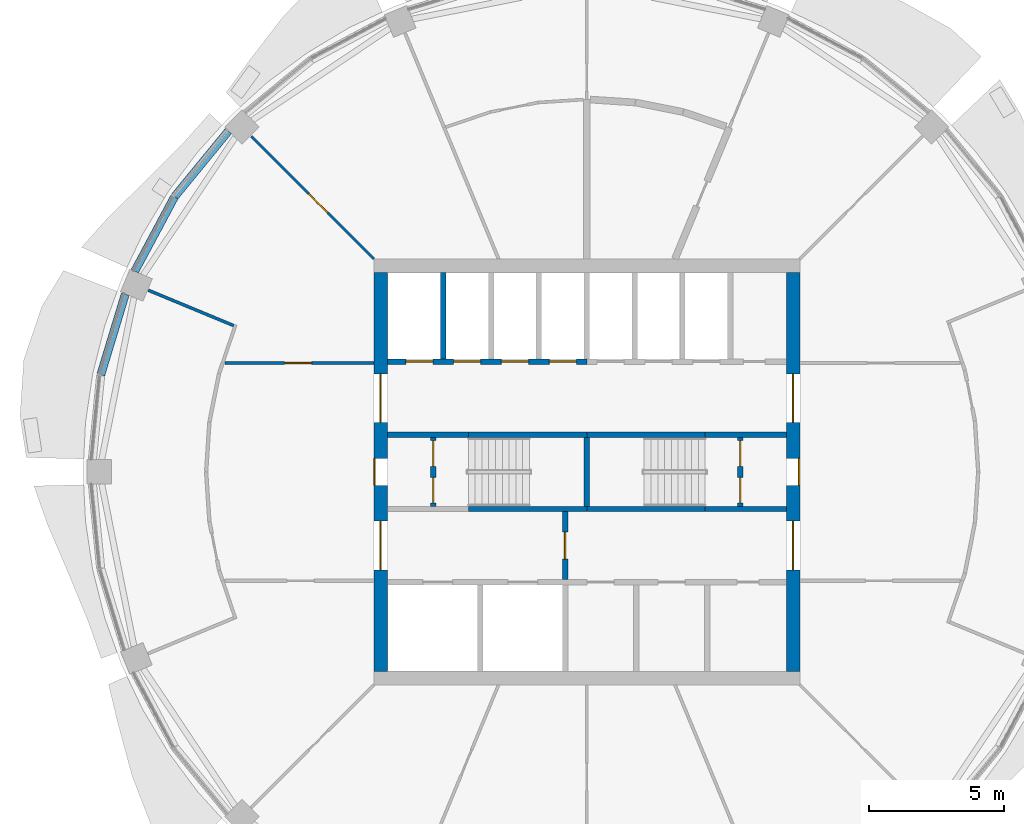
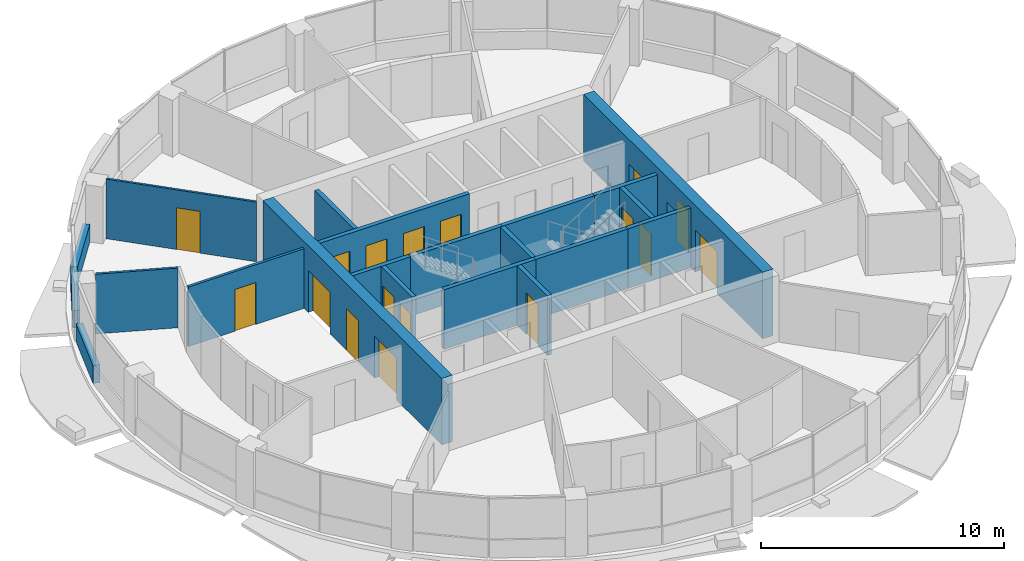
# One storey, part 9 of 15: 21 walls, 17 doors, 17 openings.
"""IFC4 building model written with IfcOpenShell, lengths in metres."""

from ifc_helpers import new_model, si_unit, direction, frame, frame_2d, origin, place, context, subcontext, project, spatial, rectangle, extrude, material, layer, layer_set, type_object, element, fill, save


model = new_model("IFC4")

# Units and contexts
model_context = context("Model", 3, precision=1e-05, world=origin(), true_north=direction((0.0, 1.0)))
body_context = subcontext(model_context, "Body", "Model", "MODEL_VIEW")
ifc_project = project(units=[si_unit("LENGTHUNIT", "METRE"), si_unit("AREAUNIT", "SQUARE_METRE"), si_unit("VOLUMEUNIT", "CUBIC_METRE"), si_unit("PLANEANGLEUNIT", "RADIAN"), si_unit("MASSUNIT", "GRAM", prefix="KILO")], contexts=[model_context])

# Site, building, storey
site_placement = place(None, origin())
site = spatial("IfcSite", under=ifc_project, at=site_placement, CompositionType="ELEMENT")
building_placement = place(site_placement, origin())
building = spatial("IfcBuilding", under=site, at=building_placement, Name="Polderwave Tower", CompositionType="ELEMENT")
storey_placement = place(building_placement, frame((0.0, 0.0, 180.949951171875)))
storey = spatial("IfcBuildingStorey", under=building, at=storey_placement, Name="L48", CompositionType="ELEMENT", Elevation=180.949951171875)

# Wall, openings, doors
ifc_material_1 = material(Name="Concrete C60/75", Category="concrete")
ifc_layer_1 = layer(ifc_material_1, 0.5)
ifc_layer_set_1 = layer_set([ifc_layer_1], Name="CORE WALL 500 C60/75")
wall_type_1 = type_object("IfcWallType", Name="CORE WALL 500 C60/75", PredefinedType="SHEAR", material=ifc_layer_set_1)
wall_1_placement = place(storey_placement, frame((-7.6240234375, -7.3740234375, 0.0), z_axis=(0.0, 0.0, 1.0), x_axis=(0.0, 1.0, 0.0)))
wall_1 = element("IfcWall", 1, at=wall_1_placement, inside=storey, type_object=wall_type_1, Name="ST-CORE-L48-W", PredefinedType="SHEAR", context=body_context, shape_type="SweptSolid", body=[
    extrude(rectangle(XDim=14.748046875, YDim=0.5, at=frame_2d((7.3740234375, 0.0))), origin(), (0.0, 0.0, 1.0), 3.35009765625),
])
opening_1_placement = place(wall_1_placement, frame((6.8740234375, 0.0, 0.0)))
opening_1 = element("IfcOpeningElement", 2, at=opening_1_placement, cuts=wall_1, Name="Opening L48-D19", PredefinedType="OPENING", context=body_context, shape_type="SweptSolid", body=[
    extrude(rectangle(XDim=1.0, YDim=2.10009765625, at=frame_2d((0.5, 1.050048828125))), frame((0.0, 0.260009765625, 0.0), z_axis=(0.0, -1.0, 0.0), x_axis=(1.0, 0.0, 0.0)), (0.0, 0.0, 1.0), 0.52001953125),
])
opening_2_placement = place(wall_1_placement, frame((3.74951171875, 0.0, 0.0)))
opening_2 = element("IfcOpeningElement", 3, at=opening_2_placement, cuts=wall_1, Name="Opening L48-D20", PredefinedType="OPENING", context=body_context, shape_type="SweptSolid", body=[
    extrude(rectangle(XDim=1.800048828125, YDim=2.10009765625, at=frame_2d((0.89990234375, 1.050048828125))), frame((0.0, 0.260009765625, 0.0), z_axis=(0.0, -1.0, 0.0), x_axis=(1.0, 0.0, 0.0)), (0.0, 0.0, 1.0), 0.52001953125),
])
opening_3_placement = place(wall_1_placement, frame((9.198486328125, 0.0, 0.0)))
opening_3 = element("IfcOpeningElement", 4, at=opening_3_placement, cuts=wall_1, Name="Opening L48-D21", PredefinedType="OPENING", context=body_context, shape_type="SweptSolid", body=[
    extrude(rectangle(XDim=1.800048828125, YDim=2.10009765625, at=frame_2d((0.89990234375, 1.050048828125))), frame((0.0, 0.260009765625, 0.0), z_axis=(0.0, -1.0, 0.0), x_axis=(1.0, 0.0, 0.0)), (0.0, 0.0, 1.0), 0.52001953125),
])
ifc_material_2 = material(Name="Steel fire door", Category="steel")
door_type_1 = type_object("IfcDoorType", Name="Lobby entry door pair 1800", OperationType="DOUBLE_DOOR_SINGLE_SWING", PredefinedType="DOOR", material=ifc_material_2)
door_1_placement = place(opening_2_placement, origin())
door_1 = element("IfcDoor", 5, at=door_1_placement, inside=storey, type_object=door_type_1, Name="Fire-fighting lobby entry door", OperationType="DOUBLE_DOOR_SINGLE_SWING", OverallHeight=2.10009765625, OverallWidth=1.800048828125, PredefinedType="DOOR", context=body_context, shape_type="SweptSolid", body=[
    extrude(rectangle(XDim=1.800048828125, YDim=2.10009765625, at=frame_2d((0.89990234375, 1.050048828125))), frame((0.0, 0.02490234375, 0.0), z_axis=(0.0, -1.0, 0.0), x_axis=(1.0, 0.0, 0.0)), (0.0, 0.0, 1.0), 0.050048828125),
])
fill(opening_2, door_1)
door_2_placement = place(opening_3_placement, origin())
door_2 = element("IfcDoor", 6, at=door_2_placement, inside=storey, type_object=door_type_1, Name="North lobby entry door", OperationType="DOUBLE_DOOR_SINGLE_SWING", OverallHeight=2.10009765625, OverallWidth=1.800048828125, PredefinedType="DOOR", context=body_context, shape_type="SweptSolid", body=[
    extrude(rectangle(XDim=1.800048828125, YDim=2.10009765625, at=frame_2d((0.89990234375, 1.050048828125))), frame((0.0, 0.02490234375, 0.0), z_axis=(0.0, -1.0, 0.0), x_axis=(1.0, 0.0, 0.0)), (0.0, 0.0, 1.0), 0.050048828125),
])
fill(opening_3, door_2)
door_type_2 = type_object("IfcDoorType", Name="Stair door 1000", OperationType="NOTDEFINED", PredefinedType="DOOR", material=ifc_material_2)
door_3_placement = place(opening_1_placement, origin())
door_3 = element("IfcDoor", 7, at=door_3_placement, inside=storey, type_object=door_type_2, Name="Stair A entry door", OperationType="SINGLE_SWING_RIGHT", OverallHeight=2.10009765625, OverallWidth=1.0, PredefinedType="DOOR", context=body_context, shape_type="SweptSolid", body=[
    extrude(rectangle(XDim=1.0, YDim=2.10009765625, at=frame_2d((0.5, 1.050048828125))), frame((0.0, 0.25, 0.0), z_axis=(0.0, -1.0, 0.0), x_axis=(1.0, 0.0, 0.0)), (0.0, 0.0, 1.0), 0.050048828125),
])
fill(opening_1, door_3)

wall_2_placement = place(storey_placement, frame((7.6240234375, -7.3740234375, 0.0), z_axis=(0.0, 0.0, 1.0), x_axis=(0.0, 1.0, 0.0)))
wall_2 = element("IfcWall", 8, at=wall_2_placement, inside=storey, type_object=wall_type_1, Name="ST-CORE-L48-E", PredefinedType="SHEAR", context=body_context, shape_type="SweptSolid", body=[
    extrude(rectangle(XDim=14.748046875, YDim=0.5, at=frame_2d((7.3740234375, 0.0))), origin(), (0.0, 0.0, 1.0), 3.35009765625),
])
opening_4_placement = place(wall_2_placement, frame((6.8740234375, 0.0, 0.0)))
opening_4 = element("IfcOpeningElement", 9, at=opening_4_placement, cuts=wall_2, Name="Opening L48-D22", PredefinedType="OPENING", context=body_context, shape_type="SweptSolid", body=[
    extrude(rectangle(XDim=1.0, YDim=2.10009765625, at=frame_2d((0.5, 1.050048828125))), frame((0.0, 0.260009765625, 0.0), z_axis=(0.0, -1.0, 0.0), x_axis=(1.0, 0.0, 0.0)), (0.0, 0.0, 1.0), 0.52001953125),
])
opening_5_placement = place(wall_2_placement, frame((3.74951171875, 0.0, 0.0)))
opening_5 = element("IfcOpeningElement", 10, at=opening_5_placement, cuts=wall_2, Name="Opening L48-D23", PredefinedType="OPENING", context=body_context, shape_type="SweptSolid", body=[
    extrude(rectangle(XDim=1.800048828125, YDim=2.10009765625, at=frame_2d((0.89990234375, 1.050048828125))), frame((0.0, 0.260009765625, 0.0), z_axis=(0.0, -1.0, 0.0), x_axis=(1.0, 0.0, 0.0)), (0.0, 0.0, 1.0), 0.52001953125),
])
opening_6_placement = place(wall_2_placement, frame((9.198486328125, 0.0, 0.0)))
opening_6 = element("IfcOpeningElement", 11, at=opening_6_placement, cuts=wall_2, Name="Opening L48-D24", PredefinedType="OPENING", context=body_context, shape_type="SweptSolid", body=[
    extrude(rectangle(XDim=1.800048828125, YDim=2.10009765625, at=frame_2d((0.89990234375, 1.050048828125))), frame((0.0, 0.260009765625, 0.0), z_axis=(0.0, -1.0, 0.0), x_axis=(1.0, 0.0, 0.0)), (0.0, 0.0, 1.0), 0.52001953125),
])
door_4_placement = place(opening_5_placement, frame((1.800048828125, 0.0, 0.0), z_axis=(0.0, 0.0, 1.0), x_axis=(-1.0, 0.0, 0.0)))
door_4 = element("IfcDoor", 12, at=door_4_placement, inside=storey, type_object=door_type_1, Name="South lobby entry door", OperationType="DOUBLE_DOOR_SINGLE_SWING", OverallHeight=2.10009765625, OverallWidth=1.800048828125, PredefinedType="DOOR", context=body_context, shape_type="SweptSolid", body=[
    extrude(rectangle(XDim=1.800048828125, YDim=2.10009765625, at=frame_2d((0.89990234375, 1.050048828125))), frame((0.0, 0.02490234375, 0.0), z_axis=(0.0, -1.0, 0.0), x_axis=(1.0, 0.0, 0.0)), (0.0, 0.0, 1.0), 0.050048828125),
])
fill(opening_5, door_4)
door_5_placement = place(opening_6_placement, frame((1.800048828125, 0.0, 0.0), z_axis=(0.0, 0.0, 1.0), x_axis=(-1.0, 0.0, 0.0)))
door_5 = element("IfcDoor", 13, at=door_5_placement, inside=storey, type_object=door_type_1, Name="North lobby entry door", OperationType="DOUBLE_DOOR_SINGLE_SWING", OverallHeight=2.10009765625, OverallWidth=1.800048828125, PredefinedType="DOOR", context=body_context, shape_type="SweptSolid", body=[
    extrude(rectangle(XDim=1.800048828125, YDim=2.10009765625, at=frame_2d((0.89990234375, 1.050048828125))), frame((0.0, 0.02490234375, 0.0), z_axis=(0.0, -1.0, 0.0), x_axis=(1.0, 0.0, 0.0)), (0.0, 0.0, 1.0), 0.050048828125),
])
fill(opening_6, door_5)
door_6_placement = place(opening_4_placement, frame((1.0, 0.0, 0.0), z_axis=(0.0, 0.0, 1.0), x_axis=(-1.0, 0.0, 0.0)))
door_6 = element("IfcDoor", 14, at=door_6_placement, inside=storey, type_object=door_type_2, Name="Stair B entry door", OperationType="SINGLE_SWING_LEFT", OverallHeight=2.10009765625, OverallWidth=1.0, PredefinedType="DOOR", context=body_context, shape_type="SweptSolid", body=[
    extrude(rectangle(XDim=1.0, YDim=2.10009765625, at=frame_2d((0.5, 1.050048828125))), frame((0.0, 0.25, 0.0), z_axis=(0.0, -1.0, 0.0), x_axis=(1.0, 0.0, 0.0)), (0.0, 0.0, 1.0), 0.050048828125),
])
fill(opening_4, door_6)

# Walls
ifc_material_3 = material(Name="Concrete C50/60 (board-marked)", Category="concrete")
ifc_layer_2 = layer(ifc_material_3, 0.300048828125)
ifc_layer_set_2 = layer_set([ifc_layer_2], Name="Concrete spandrel upstand C50/60")
wall_type_2 = type_object("IfcWallType", Name="Concrete spandrel upstand C50/60", PredefinedType="SOLIDWALL", material=ifc_layer_set_2)
wall_3_placement = place(storey_placement, frame((-13.24951171875, 12.594482421875, 0.0), z_axis=(0.0, 0.0, 1.0), x_axis=(-0.634267296653, -0.773113831461, 0.0)))
element("IfcWall", 15, at=wall_3_placement, inside=storey, type_object=wall_type_2, Name="Spandrel L48 7a", PredefinedType="SOLIDWALL", context=body_context, shape_type="SweptSolid", body=[
    extrude(rectangle(XDim=3.110595703125, YDim=0.300048828125, at=frame_2d((1.55517578125, 0.0))), origin(), (0.0, 0.0, 1.0), 0.900146484375),
])
for number, where, z_axis, x_axis, name in (
    (16, (-15.239013671875, 10.164794921875, 0.0), (0.0, 0.0, 1.0), (-0.471598312985, -0.881813490025, 0.0), "Spandrel L48 7b"),
    (17, (-17.060302734375, 6.564697265625, 0.0), (0.0, 0.0, 1.0), (-0.290421284339, -0.956898885778, 0.0), "Spandrel L48 8a"),
):
    element("IfcWall", number, at=place(storey_placement, frame(where, z_axis=z_axis, x_axis=x_axis)), inside=storey, type_object=wall_type_2, Name=name, PredefinedType="SOLIDWALL", context=body_context, shape_type="SweptSolid", body=[
        extrude(rectangle(XDim=3.1103515625, YDim=0.300048828125, at=frame_2d((1.55517578125, 0.0))), origin(), (0.0, 0.0, 1.0), 0.900146484375),
    ])

# Wall, opening, door
ifc_material_4 = material(Name="Gypsum board partition")
ifc_layer_3 = layer(ifc_material_4, 0.199951171875)
ifc_layer_set_3 = layer_set([ifc_layer_3], Name="Core room partition 200")
wall_type_3 = type_object("IfcWallType", Name="Core room partition 200", PredefinedType="PARTITIONING", material=ifc_layer_set_3)
wall_4_placement = place(storey_placement, frame((-0.800048828125, -3.97412109375, 0.0), z_axis=(0.0, 0.0, 1.0), x_axis=(0.0, 1.0, 0.0)))
wall_4 = element("IfcWall", 18, at=wall_4_placement, inside=storey, type_object=wall_type_3, Name="L48 fire-fighting lobby wall", PredefinedType="PARTITIONING", context=body_context, shape_type="SweptSolid", body=[
    extrude(rectangle(XDim=2.4990234375, YDim=0.199951171875, at=frame_2d((1.24951171875, 0.0))), origin(), (0.0, 0.0, 1.0), 3.0),
])
opening_7_placement = place(wall_4_placement, frame((0.74951171875, 0.0, 0.0)))
opening_7 = element("IfcOpeningElement", 19, at=opening_7_placement, cuts=wall_4, Name="Opening L48-D14", PredefinedType="OPENING", context=body_context, shape_type="SweptSolid", body=[
    extrude(rectangle(XDim=1.0, YDim=2.10009765625, at=frame_2d((0.5, 1.050048828125))), frame((0.0, 0.10986328125, 0.0), z_axis=(0.0, -1.0, 0.0), x_axis=(1.0, 0.0, 0.0)), (0.0, 0.0, 1.0), 0.219970703125),
])
door_type_3 = type_object("IfcDoorType", Name="Lobby fire door 1000", OperationType="NOTDEFINED", PredefinedType="DOOR", material=ifc_material_2)
door_7_placement = place(opening_7_placement, frame((1.0, 0.0, 0.0), z_axis=(0.0, 0.0, 1.0), x_axis=(-1.0, 0.0, 0.0)))
door_7 = element("IfcDoor", 20, at=door_7_placement, inside=storey, type_object=door_type_3, Name="Fire-fighting lobby door", OperationType="SINGLE_SWING_LEFT", OverallHeight=2.10009765625, OverallWidth=1.0, PredefinedType="DOOR", context=body_context, shape_type="SweptSolid", body=[
    extrude(rectangle(XDim=1.0, YDim=2.10009765625, at=frame_2d((0.5, 1.050048828125))), frame((0.0, 0.02490234375, 0.0), z_axis=(0.0, -1.0, 0.0), x_axis=(1.0, 0.0, 0.0)), (0.0, 0.0, 1.0), 0.050048828125),
])
fill(opening_7, door_7)

# Wall, openings, doors
wall_5_placement = place(storey_placement, frame((-5.674072265625, -1.27490234375, 0.0), z_axis=(0.0, 0.0, 1.0), x_axis=(0.0, 1.0, 0.0)))
wall_5 = element("IfcWall", 21, at=wall_5_placement, inside=storey, type_object=wall_type_3, Name="L48 smoke lobby wall A", PredefinedType="PARTITIONING", context=body_context, shape_type="SweptSolid", body=[
    extrude(rectangle(XDim=2.5498046875, YDim=0.199951171875, at=frame_2d((1.27490234375, 0.0))), origin(), (0.0, 0.0, 1.0), 3.0),
])
opening_8_placement = place(wall_5_placement, frame((0.125, 0.0, 0.0)))
opening_8 = element("IfcOpeningElement", 22, at=opening_8_placement, cuts=wall_5, Name="Opening L48-D10", PredefinedType="OPENING", context=body_context, shape_type="SweptSolid", body=[
    extrude(rectangle(XDim=0.949951171875, YDim=2.10009765625, at=frame_2d((0.47509765625, 1.050048828125))), frame((0.0, 0.10986328125, 0.0), z_axis=(0.0, -1.0, 0.0), x_axis=(1.0, 0.0, 0.0)), (0.0, 0.0, 1.0), 0.219970703125),
])
opening_9_placement = place(wall_5_placement, frame((1.47509765625, 0.0, 0.0)))
opening_9 = element("IfcOpeningElement", 23, at=opening_9_placement, cuts=wall_5, Name="Opening L48-D11", PredefinedType="OPENING", context=body_context, shape_type="SweptSolid", body=[
    extrude(rectangle(XDim=0.949951171875, YDim=2.10009765625, at=frame_2d((0.47509765625, 1.050048828125))), frame((0.0, 0.10986328125, 0.0), z_axis=(0.0, -1.0, 0.0), x_axis=(1.0, 0.0, 0.0)), (0.0, 0.0, 1.0), 0.219970703125),
])
door_type_4 = type_object("IfcDoorType", Name="Smoke lobby door 950", OperationType="NOTDEFINED", PredefinedType="DOOR", material=ifc_material_2)
door_8_placement = place(opening_8_placement, origin())
door_8 = element("IfcDoor", 24, at=door_8_placement, inside=storey, type_object=door_type_4, Name="Stair A smoke lobby inner door", OperationType="SINGLE_SWING_LEFT", OverallHeight=2.10009765625, OverallWidth=0.949951171875, PredefinedType="DOOR", context=body_context, shape_type="SweptSolid", body=[
    extrude(rectangle(XDim=0.949951171875, YDim=2.10009765625, at=frame_2d((0.47509765625, 1.050048828125))), frame((0.0, 0.02490234375, 0.0), z_axis=(0.0, -1.0, 0.0), x_axis=(1.0, 0.0, 0.0)), (0.0, 0.0, 1.0), 0.050048828125),
])
fill(opening_8, door_8)
door_9_placement = place(opening_9_placement, origin())
door_9 = element("IfcDoor", 25, at=door_9_placement, inside=storey, type_object=door_type_4, Name="Stair A smoke lobby inner door", OperationType="SINGLE_SWING_RIGHT", OverallHeight=2.10009765625, OverallWidth=0.949951171875, PredefinedType="DOOR", context=body_context, shape_type="SweptSolid", body=[
    extrude(rectangle(XDim=0.949951171875, YDim=2.10009765625, at=frame_2d((0.47509765625, 1.050048828125))), frame((0.0, 0.02490234375, 0.0), z_axis=(0.0, -1.0, 0.0), x_axis=(1.0, 0.0, 0.0)), (0.0, 0.0, 1.0), 0.050048828125),
])
fill(opening_9, door_9)

wall_6_placement = place(storey_placement, frame((5.674072265625, -1.27490234375, 0.0), z_axis=(0.0, 0.0, 1.0), x_axis=(0.0, 1.0, 0.0)))
wall_6 = element("IfcWall", 26, at=wall_6_placement, inside=storey, type_object=wall_type_3, Name="L48 smoke lobby wall B", PredefinedType="PARTITIONING", context=body_context, shape_type="SweptSolid", body=[
    extrude(rectangle(XDim=2.5498046875, YDim=0.199951171875, at=frame_2d((1.27490234375, 0.0))), origin(), (0.0, 0.0, 1.0), 3.0),
])
opening_10_placement = place(wall_6_placement, frame((0.125, 0.0, 0.0)))
opening_10 = element("IfcOpeningElement", 27, at=opening_10_placement, cuts=wall_6, Name="Opening L48-D12", PredefinedType="OPENING", context=body_context, shape_type="SweptSolid", body=[
    extrude(rectangle(XDim=0.949951171875, YDim=2.10009765625, at=frame_2d((0.47509765625, 1.050048828125))), frame((0.0, 0.10986328125, 0.0), z_axis=(0.0, -1.0, 0.0), x_axis=(1.0, 0.0, 0.0)), (0.0, 0.0, 1.0), 0.219970703125),
])
opening_11_placement = place(wall_6_placement, frame((1.47509765625, 0.0, 0.0)))
opening_11 = element("IfcOpeningElement", 28, at=opening_11_placement, cuts=wall_6, Name="Opening L48-D13", PredefinedType="OPENING", context=body_context, shape_type="SweptSolid", body=[
    extrude(rectangle(XDim=0.949951171875, YDim=2.10009765625, at=frame_2d((0.47509765625, 1.050048828125))), frame((0.0, 0.10986328125, 0.0), z_axis=(0.0, -1.0, 0.0), x_axis=(1.0, 0.0, 0.0)), (0.0, 0.0, 1.0), 0.219970703125),
])
door_10_placement = place(opening_10_placement, frame((0.949951171875, 0.0, 0.0), z_axis=(0.0, 0.0, 1.0), x_axis=(-1.0, 0.0, 0.0)))
door_10 = element("IfcDoor", 29, at=door_10_placement, inside=storey, type_object=door_type_4, Name="Stair B smoke lobby inner door", OperationType="SINGLE_SWING_RIGHT", OverallHeight=2.10009765625, OverallWidth=0.949951171875, PredefinedType="DOOR", context=body_context, shape_type="SweptSolid", body=[
    extrude(rectangle(XDim=0.949951171875, YDim=2.10009765625, at=frame_2d((0.47509765625, 1.050048828125))), frame((0.0, 0.02490234375, 0.0), z_axis=(0.0, -1.0, 0.0), x_axis=(1.0, 0.0, 0.0)), (0.0, 0.0, 1.0), 0.050048828125),
])
fill(opening_10, door_10)
door_11_placement = place(opening_11_placement, frame((0.949951171875, 0.0, 0.0), z_axis=(0.0, 0.0, 1.0), x_axis=(-1.0, 0.0, 0.0)))
door_11 = element("IfcDoor", 30, at=door_11_placement, inside=storey, type_object=door_type_4, Name="Stair B smoke lobby inner door", OperationType="SINGLE_SWING_LEFT", OverallHeight=2.10009765625, OverallWidth=0.949951171875, PredefinedType="DOOR", context=body_context, shape_type="SweptSolid", body=[
    extrude(rectangle(XDim=0.949951171875, YDim=2.10009765625, at=frame_2d((0.47509765625, 1.050048828125))), frame((0.0, 0.02490234375, 0.0), z_axis=(0.0, -1.0, 0.0), x_axis=(1.0, 0.0, 0.0)), (0.0, 0.0, 1.0), 0.050048828125),
])
fill(opening_11, door_11)

ifc_material_5 = material(Name="Concrete C50/60", Category="concrete")
ifc_layer_4 = layer(ifc_material_5, 0.199951171875)
ifc_layer_set_4 = layer_set([ifc_layer_4], Name="Core web wall 200")
wall_type_4 = type_object("IfcWallType", Name="Core web wall 200", PredefinedType="SHEAR", material=ifc_layer_set_4)
wall_7_placement = place(storey_placement, frame((-7.3740234375, 4.073974609375, 0.0), z_axis=(0.0, 0.0, 1.0), x_axis=(1.0, 0.0, 0.0)))
wall_7 = element("IfcWall", 31, at=wall_7_placement, inside=storey, type_object=wall_type_4, Name="L48 north front wall 1", PredefinedType="SHEAR", context=body_context, shape_type="SweptSolid", body=[
    extrude(rectangle(XDim=7.3740234375, YDim=0.199951171875, at=frame_2d((3.68701171875, 0.0))), origin(), (0.0, 0.0, 1.0), 3.0),
])
opening_12_placement = place(wall_7_placement, frame((0.68408203125, 0.0, 0.0)))
opening_12 = element("IfcOpeningElement", 32, at=opening_12_placement, cuts=wall_7, Name="Opening L48-D03", PredefinedType="OPENING", context=body_context, shape_type="SweptSolid", body=[
    extrude(rectangle(XDim=1.0, YDim=2.10009765625, at=frame_2d((0.5, 1.050048828125))), frame((0.0, 0.10986328125, 0.0), z_axis=(0.0, -1.0, 0.0), x_axis=(1.0, 0.0, 0.0)), (0.0, 0.0, 1.0), 0.219970703125),
])
opening_13_placement = place(wall_7_placement, frame((2.45263671875, 0.0, 0.0)))
opening_13 = element("IfcOpeningElement", 33, at=opening_13_placement, cuts=wall_7, Name="Opening L48-D04", PredefinedType="OPENING", context=body_context, shape_type="SweptSolid", body=[
    extrude(rectangle(XDim=1.0, YDim=2.10009765625, at=frame_2d((0.5, 1.050048828125))), frame((0.0, 0.10986328125, 0.0), z_axis=(0.0, -1.0, 0.0), x_axis=(1.0, 0.0, 0.0)), (0.0, 0.0, 1.0), 0.219970703125),
])
opening_14_placement = place(wall_7_placement, frame((4.22119140625, 0.0, 0.0)))
opening_14 = element("IfcOpeningElement", 34, at=opening_14_placement, cuts=wall_7, Name="Opening L48-D05", PredefinedType="OPENING", context=body_context, shape_type="SweptSolid", body=[
    extrude(rectangle(XDim=1.0, YDim=2.10009765625, at=frame_2d((0.5, 1.050048828125))), frame((0.0, 0.10986328125, 0.0), z_axis=(0.0, -1.0, 0.0), x_axis=(1.0, 0.0, 0.0)), (0.0, 0.0, 1.0), 0.219970703125),
])
opening_15_placement = place(wall_7_placement, frame((5.98974609375, 0.0, 0.0)))
opening_15 = element("IfcOpeningElement", 35, at=opening_15_placement, cuts=wall_7, Name="Opening L48-D06", PredefinedType="OPENING", context=body_context, shape_type="SweptSolid", body=[
    extrude(rectangle(XDim=1.0, YDim=2.10009765625, at=frame_2d((0.5, 1.050048828125))), frame((0.0, 0.10986328125, 0.0), z_axis=(0.0, -1.0, 0.0), x_axis=(1.0, 0.0, 0.0)), (0.0, 0.0, 1.0), 0.219970703125),
])
ifc_material_6 = material(Name="Stainless steel", Category="steel")
door_type_5 = type_object("IfcDoorType", Name="Lift landing door 1000", OperationType="DOUBLE_DOOR_SLIDING", PredefinedType="DOOR", material=ifc_material_6)
door_12_placement = place(opening_12_placement, frame((1.0, 0.0, 0.0), z_axis=(0.0, 0.0, 1.0), x_axis=(-1.0, 0.0, 0.0)))
door_12 = element("IfcDoor", 36, at=door_12_placement, inside=storey, type_object=door_type_5, Name="Lift HL1 landing door", OperationType="DOUBLE_DOOR_SLIDING", OverallHeight=2.10009765625, OverallWidth=1.0, PredefinedType="DOOR", context=body_context, shape_type="SweptSolid", body=[
    extrude(rectangle(XDim=1.0, YDim=2.10009765625, at=frame_2d((0.5, 1.050048828125))), frame((0.0, 0.02490234375, 0.0), z_axis=(0.0, -1.0, 0.0), x_axis=(1.0, 0.0, 0.0)), (0.0, 0.0, 1.0), 0.050048828125),
])
fill(opening_12, door_12)
door_13_placement = place(opening_13_placement, frame((1.0, 0.0, 0.0), z_axis=(0.0, 0.0, 1.0), x_axis=(-1.0, 0.0, 0.0)))
door_13 = element("IfcDoor", 37, at=door_13_placement, inside=storey, type_object=door_type_5, Name="Lift HL2 landing door", OperationType="DOUBLE_DOOR_SLIDING", OverallHeight=2.10009765625, OverallWidth=1.0, PredefinedType="DOOR", context=body_context, shape_type="SweptSolid", body=[
    extrude(rectangle(XDim=1.0, YDim=2.10009765625, at=frame_2d((0.5, 1.050048828125))), frame((0.0, 0.02490234375, 0.0), z_axis=(0.0, -1.0, 0.0), x_axis=(1.0, 0.0, 0.0)), (0.0, 0.0, 1.0), 0.050048828125),
])
fill(opening_13, door_13)
door_14_placement = place(opening_14_placement, frame((1.0, 0.0, 0.0), z_axis=(0.0, 0.0, 1.0), x_axis=(-1.0, 0.0, 0.0)))
door_14 = element("IfcDoor", 38, at=door_14_placement, inside=storey, type_object=door_type_5, Name="Lift HL3 landing door", OperationType="DOUBLE_DOOR_SLIDING", OverallHeight=2.10009765625, OverallWidth=1.0, PredefinedType="DOOR", context=body_context, shape_type="SweptSolid", body=[
    extrude(rectangle(XDim=1.0, YDim=2.10009765625, at=frame_2d((0.5, 1.050048828125))), frame((0.0, 0.02490234375, 0.0), z_axis=(0.0, -1.0, 0.0), x_axis=(1.0, 0.0, 0.0)), (0.0, 0.0, 1.0), 0.050048828125),
])
fill(opening_14, door_14)
door_15_placement = place(opening_15_placement, frame((1.0, 0.0, 0.0), z_axis=(0.0, 0.0, 1.0), x_axis=(-1.0, 0.0, 0.0)))
door_15 = element("IfcDoor", 39, at=door_15_placement, inside=storey, type_object=door_type_5, Name="Lift HL4 landing door", OperationType="DOUBLE_DOOR_SLIDING", OverallHeight=2.10009765625, OverallWidth=1.0, PredefinedType="DOOR", context=body_context, shape_type="SweptSolid", body=[
    extrude(rectangle(XDim=1.0, YDim=2.10009765625, at=frame_2d((0.5, 1.050048828125))), frame((0.0, 0.02490234375, 0.0), z_axis=(0.0, -1.0, 0.0), x_axis=(1.0, 0.0, 0.0)), (0.0, 0.0, 1.0), 0.050048828125),
])
fill(opening_15, door_15)

# Walls
for number, where, z_axis, x_axis, name in (
    (40, (-4.3740234375, -1.375, 0.0), (0.0, 0.0, 1.0), (1.0, 0.0, 0.0), "L48 south stair wall 2"),
    (41, (0.0, -1.375, 0.0), (0.0, 0.0, 1.0), (1.0, 0.0, 0.0), "L48 south stair wall 3"),
):
    element("IfcWall", number, at=place(storey_placement, frame(where, z_axis=z_axis, x_axis=x_axis)), inside=storey, type_object=wall_type_4, Name=name, PredefinedType="SHEAR", context=body_context, shape_type="SweptSolid", body=[
        extrude(rectangle(XDim=4.3740234375, YDim=0.199951171875, at=frame_2d((2.18701171875, 0.0))), origin(), (0.0, 0.0, 1.0), 3.0),
    ])
for number, where, z_axis, x_axis, name in (
    (42, (4.3740234375, -1.375, 0.0), (0.0, 0.0, 1.0), (1.0, 0.0, 0.0), "L48 south stair wall 4"),
    (43, (-7.3740234375, 1.375, 0.0), (0.0, 0.0, 1.0), (1.0, 0.0, 0.0), "L48 north stair wall 1"),
):
    element("IfcWall", number, at=place(storey_placement, frame(where, z_axis=z_axis, x_axis=x_axis)), inside=storey, type_object=wall_type_4, Name=name, PredefinedType="SHEAR", context=body_context, shape_type="SweptSolid", body=[
        extrude(rectangle(XDim=3.0, YDim=0.199951171875, at=frame_2d((1.5, 0.0))), origin(), (0.0, 0.0, 1.0), 3.0),
    ])
for number, where, z_axis, x_axis, name in (
    (44, (-4.3740234375, 1.375, 0.0), (0.0, 0.0, 1.0), (1.0, 0.0, 0.0), "L48 north stair wall 2"),
    (45, (0.0, 1.375, 0.0), (0.0, 0.0, 1.0), (1.0, 0.0, 0.0), "L48 north stair wall 3"),
):
    element("IfcWall", number, at=place(storey_placement, frame(where, z_axis=z_axis, x_axis=x_axis)), inside=storey, type_object=wall_type_4, Name=name, PredefinedType="SHEAR", context=body_context, shape_type="SweptSolid", body=[
        extrude(rectangle(XDim=4.3740234375, YDim=0.199951171875, at=frame_2d((2.18701171875, 0.0))), origin(), (0.0, 0.0, 1.0), 3.0),
    ])
wall_8_placement = place(storey_placement, frame((4.3740234375, 1.375, 0.0), z_axis=(0.0, 0.0, 1.0), x_axis=(1.0, 0.0, 0.0)))
element("IfcWall", 46, at=wall_8_placement, inside=storey, type_object=wall_type_4, Name="L48 north stair wall 4", PredefinedType="SHEAR", context=body_context, shape_type="SweptSolid", body=[
    extrude(rectangle(XDim=3.0, YDim=0.199951171875, at=frame_2d((1.5, 0.0))), origin(), (0.0, 0.0, 1.0), 3.0),
])
wall_9_placement = place(storey_placement, frame((0.0, -1.27490234375, 0.0), z_axis=(0.0, 0.0, 1.0), x_axis=(0.0, 1.0, 0.0)))
element("IfcWall", 47, at=wall_9_placement, inside=storey, type_object=wall_type_4, Name="L48 wall between the stairs", PredefinedType="SHEAR", context=body_context, shape_type="SweptSolid", body=[
    extrude(rectangle(XDim=2.5498046875, YDim=0.199951171875, at=frame_2d((1.27490234375, 0.0))), origin(), (0.0, 0.0, 1.0), 3.0),
])

# Wall, opening, door
ifc_material_7 = material(Name="Fire-resisting board on steel studs", Category="steel")
ifc_layer_5 = layer(ifc_material_7, 0.125)
ifc_layer_set_5 = layer_set([ifc_layer_5], Name="Corridor wall 125 mm EI 60")
wall_type_5 = type_object("IfcWallType", Name="Corridor wall 125 mm EI 60", PredefinedType="PARTITIONING", material=ifc_layer_set_5)
wall_10_placement = place(storey_placement, frame((-13.373291015625, 4.0244140625, 0.0), z_axis=(0.0, 0.0, 1.0), x_axis=(1.0, 0.0, 0.0)))
wall_10 = element("IfcWall", 48, at=wall_10_placement, inside=storey, type_object=wall_type_5, Name="IN-L48-W009", PredefinedType="PARTITIONING", context=body_context, shape_type="SweptSolid", body=[
    extrude(rectangle(XDim=5.499267578125, YDim=0.125, at=frame_2d((2.74951171875, 0.0))), origin(), (0.0, 0.0, 1.0), 3.0),
])
opening_16_placement = place(wall_10_placement, frame((2.199951171875, 0.0, 0.0)))
opening_16 = element("IfcOpeningElement", 49, at=opening_16_placement, cuts=wall_10, Name="Opening L48-D53", PredefinedType="OPENING", context=body_context, shape_type="SweptSolid", body=[
    extrude(rectangle(XDim=1.0, YDim=2.10009765625, at=frame_2d((0.5, 1.050048828125))), frame((0.0, 0.072509765625, 0.0), z_axis=(0.0, -1.0, 0.0), x_axis=(1.0, 0.0, 0.0)), (0.0, 0.0, 1.0), 0.14501953125),
])
ifc_material_8 = material(Name="Timber fire door leaf", Category="wood")
door_type_6 = type_object("IfcDoorType", Name="Fire door FD30S 1000 x 2100", OperationType="NOTDEFINED", PredefinedType="DOOR", material=ifc_material_8)
door_16_placement = place(opening_16_placement, origin())
door_16 = element("IfcDoor", 50, at=door_16_placement, inside=storey, type_object=door_type_6, Name="Door L48-D53", OperationType="SINGLE_SWING_LEFT", OverallHeight=2.10009765625, OverallWidth=1.0, PredefinedType="DOOR", context=body_context, shape_type="SweptSolid", body=[
    extrude(rectangle(XDim=1.0, YDim=2.10009765625, at=frame_2d((0.5, 1.050048828125))), frame((0.0, 0.02490234375, 0.0), z_axis=(0.0, -1.0, 0.0), x_axis=(1.0, 0.0, 0.0)), (0.0, 0.0, 1.0), 0.050048828125),
])
fill(opening_16, door_16)

ifc_material_9 = material(Name="Plasterboard on steel studs", Category="steel")
ifc_layer_6 = layer(ifc_material_9, 0.10009765625)
ifc_layer_set_6 = layer_set([ifc_layer_6], Name="Partition 100 mm plasterboard on steel studs")
wall_type_6 = type_object("IfcWallType", Name="Partition 100 mm plasterboard on steel studs", PredefinedType="PARTITIONING", material=ifc_layer_set_6)
wall_11_placement = place(storey_placement, frame((-12.402587890625, 12.402587890625, 0.0), z_axis=(0.0, 0.0, 1.0), x_axis=(0.707106781187, -0.707106781187, 0.0)))
wall_11 = element("IfcWall", 51, at=wall_11_placement, inside=storey, type_object=wall_type_6, Name="IN-L48-W034", PredefinedType="PARTITIONING", context=body_context, shape_type="SweptSolid", body=[
    extrude(rectangle(XDim=6.404296875, YDim=0.10009765625, at=frame_2d((3.2021484375, 0.0))), origin(), (0.0, 0.0, 1.0), 3.0),
])
opening_17_placement = place(wall_11_placement, frame((3.0, 0.0, 0.0)))
opening_17 = element("IfcOpeningElement", 52, at=opening_17_placement, cuts=wall_11, Name="Opening L48-D61", PredefinedType="OPENING", context=body_context, shape_type="SweptSolid", body=[
    extrude(rectangle(XDim=1.0, YDim=2.10009765625, at=frame_2d((0.5, 1.050048828125))), frame((0.0, 0.06005859375, 0.0), z_axis=(0.0, -1.0, 0.0), x_axis=(1.0, 0.0, 0.0)), (0.0, 0.0, 1.0), 0.1201171875),
])
ifc_material_10 = material(Name="Timber veneer door leaf", Category="wood")
door_type_7 = type_object("IfcDoorType", Name="Single door 1000 x 2100", OperationType="NOTDEFINED", PredefinedType="DOOR", material=ifc_material_10)
door_17_placement = place(opening_17_placement, origin())
door_17 = element("IfcDoor", 53, at=door_17_placement, inside=storey, type_object=door_type_7, Name="Door L48-D61", OperationType="SINGLE_SWING_RIGHT", OverallHeight=2.10009765625, OverallWidth=1.0, PredefinedType="DOOR", context=body_context, shape_type="SweptSolid", body=[
    extrude(rectangle(XDim=1.0, YDim=2.10009765625, at=frame_2d((0.5, 1.050048828125))), frame((0.0, 0.02490234375, 0.0), z_axis=(0.0, -1.0, 0.0), x_axis=(1.0, 0.0, 0.0)), (0.0, 0.0, 1.0), 0.050048828125),
])
fill(opening_17, door_17)

# Walls
ifc_material_11 = material(Name="Acoustic double plasterboard on steel studs", Category="steel")
ifc_layer_7 = layer(ifc_material_11, 0.110107421875)
ifc_layer_set_7 = layer_set([ifc_layer_7], Name="Partition 110 mm acoustic double board")
wall_type_7 = type_object("IfcWallType", Name="Partition 110 mm acoustic double board", PredefinedType="PARTITIONING", material=ifc_layer_set_7)
wall_12_placement = place(storey_placement, frame((-13.05322265625, 5.406982421875, 0.0), z_axis=(0.0, 0.0, 1.0), x_axis=(-0.923881629558, 0.382678369606, 0.0)))
element("IfcWall", 54, at=wall_12_placement, inside=storey, type_object=wall_type_7, Name="IN-L48-W036", PredefinedType="PARTITIONING", context=body_context, shape_type="SweptSolid", body=[
    extrude(rectangle(XDim=3.411376953125, YDim=0.110107421875, at=frame_2d((1.70556640625, 0.0))), origin(), (0.0, 0.0, 1.0), 3.0),
])
ifc_material_12 = material(Name="Gypsum shaft wall system")
ifc_layer_8 = layer(ifc_material_12, 0.199951171875)
ifc_layer_set_8 = layer_set([ifc_layer_8], Name="Shaft wall 200")
wall_type_8 = type_object("IfcWallType", Name="Shaft wall 200", PredefinedType="PARTITIONING", material=ifc_layer_set_8)
wall_13_placement = place(storey_placement, frame((-5.305419921875, 4.174072265625, 0.0), z_axis=(0.0, 0.0, 1.0), x_axis=(0.0, 1.0, 0.0)))
element("IfcWall", 55, at=wall_13_placement, inside=storey, type_object=wall_type_8, Name="L48 lift shaft wall N1", PredefinedType="PARTITIONING", context=body_context, shape_type="SweptSolid", body=[
    extrude(rectangle(XDim=3.199951171875, YDim=0.199951171875, at=frame_2d((1.60009765625, 0.0))), origin(), (0.0, 0.0, 1.0), 3.0),
])

save(model, "model.ifc")
